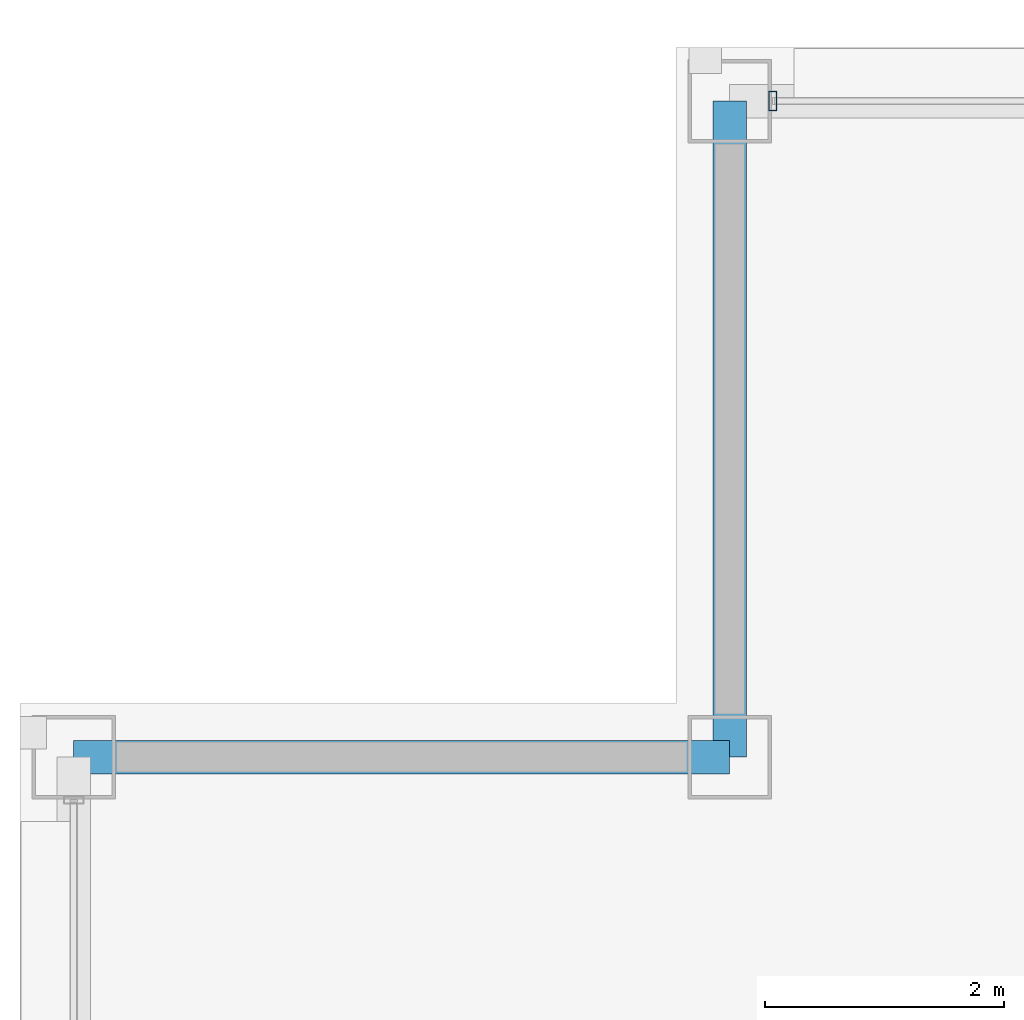
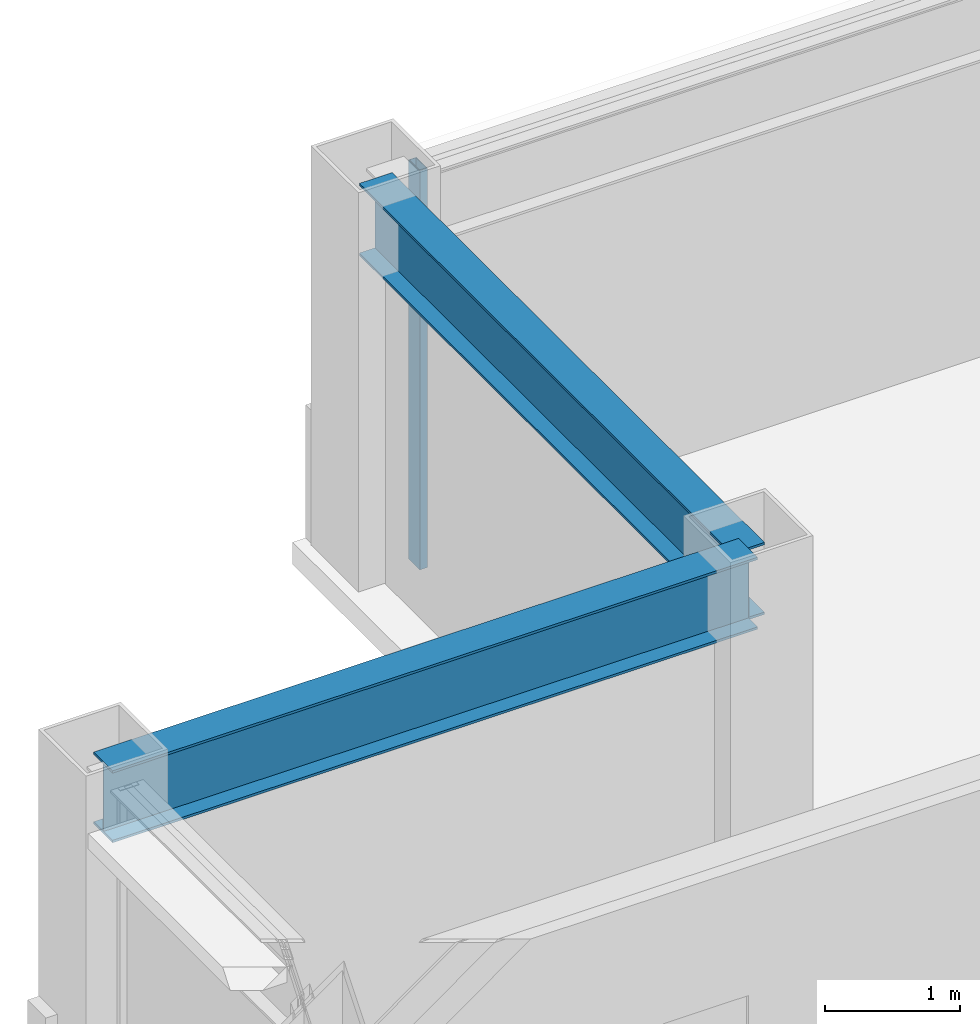
# One storey, part 19 of 30: 2 beams, 1 member, 1 element without a shape of its own.
"""IFC4 building model written with IfcOpenShell, lengths in metres."""

import ifcopenshell
import ifcopenshell.guid

model = None  # the IFC model being written
_history = None  # IfcOwnerHistory: only IFC2X3 demands one
_inside = {}  # id of a spatial element -> (the spatial element, [elements in it])
_under = {}  # id of a project, library or spatial element -> (it, [spatial elements below it])
_declared = {}  # id of a project -> (the project, [libraries it declares])
_typed = {}  # id of a type object -> (the type object, [elements of that type])
_made_of = {}  # id of a material, layer set ... -> (it, [elements and type objects made of it])


def new_model(schema):
    """Start an empty IFC model of exactly this schema.

    Asked for "IFC4X3", IfcOpenShell would pick the latest addendum, in which some entities
    have other attributes; the version numbers below select the first issue.
    IFC2X3 requires an IfcOwnerHistory on every rooted entity: one is made here for all.
    """
    global model, _history
    if schema == "IFC4X3":
        model = ifcopenshell.file(schema_version=(4, 3, 0, 0))
    else:
        model = ifcopenshell.file(schema=schema)
    _inside.clear()
    _under.clear()
    _declared.clear()
    _typed.clear()
    _made_of.clear()
    _history = None
    if model.schema == "IFC2X3":
        org = make("IfcOrganization", Name="unknown")
        user = make(
            "IfcPersonAndOrganization",
            ThePerson=make("IfcPerson", FamilyName="unknown"),
            TheOrganization=org,
        )
        app = make(
            "IfcApplication",
            ApplicationDeveloper=org,
            Version="unknown",
            ApplicationFullName="unknown",
            ApplicationIdentifier="unknown",
        )
        _history = make(
            "IfcOwnerHistory",
            OwningUser=user,
            OwningApplication=app,
            ChangeAction="ADDED",
            CreationDate=0,
        )
    return model


def make(cls, **values):
    """One entity of the class cls with the attributes given. An attribute that is None is left unset."""
    return model.create_entity(
        cls, **{name: value for name, value in values.items() if value is not None}
    )


def rooted(cls, **values):
    """An entity with a GlobalId (a new one), such as an element, a storey or a relation."""
    return make(cls, GlobalId=ifcopenshell.guid.new(), OwnerHistory=_history, **values)


def si_unit(unit_type, name, prefix=None):
    """IfcSIUnit, for example si_unit("LENGTHUNIT", "METRE", prefix="MILLI")."""
    return make("IfcSIUnit", UnitType=unit_type, Prefix=prefix, Name=name)


def assignment(units):
    """IfcUnitAssignment: the units of a project."""
    return None if units is None else make("IfcUnitAssignment", Units=units)


def point(xyz):
    """IfcCartesianPoint."""
    return None if xyz is None else make("IfcCartesianPoint", Coordinates=xyz)


def direction(xyz):
    """IfcDirection."""
    return None if xyz is None else make("IfcDirection", DirectionRatios=xyz)


def frame(location, z_axis=None, x_axis=None):
    """IfcAxis2Placement3D, a coordinate frame: its origin and axes. An axis left out is left unset."""
    return make(
        "IfcAxis2Placement3D",
        Location=point(location),
        Axis=direction(z_axis),
        RefDirection=direction(x_axis),
    )


def frame_2d(location, x_axis=None):
    """IfcAxis2Placement2D, a coordinate frame in the plane: its origin and x axis."""
    return make(
        "IfcAxis2Placement2D", Location=point(location), RefDirection=direction(x_axis)
    )


def origin():
    """The frame at (0, 0, 0) with its axes left unset."""
    return frame((0.0, 0.0, 0.0))


def origin_2d():
    """The frame at (0, 0) in the plane with its x axis left unset."""
    return frame_2d((0.0, 0.0))


def place(relative_to, where):
    """IfcLocalPlacement: puts the frame where relative to a parent placement (None: the world)."""
    return make(
        "IfcLocalPlacement", PlacementRelTo=relative_to, RelativePlacement=where
    )


def context(
    kind, dimensions, precision=None, world=None, true_north=None, identifier=None
):
    """IfcGeometricRepresentationContext, for example the 3D "Model" context."""
    return make(
        "IfcGeometricRepresentationContext",
        ContextIdentifier=identifier,
        ContextType=kind,
        CoordinateSpaceDimension=dimensions,
        Precision=precision,
        WorldCoordinateSystem=world,
        TrueNorth=true_north,
    )


def subcontext(parent, identifier, kind, view, scale=None):
    """IfcGeometricRepresentationSubContext, for example "Body" below "Model"."""
    return make(
        "IfcGeometricRepresentationSubContext",
        ContextIdentifier=identifier,
        ContextType=kind,
        ParentContext=parent,
        TargetScale=scale,
        TargetView=view,
    )


def project(units=None, contexts=None):
    """IfcProject with its units and contexts."""
    return rooted(
        "IfcProject",
        Name="project",
        RepresentationContexts=contexts,
        UnitsInContext=assignment(units),
    )


def spatial(cls, under=None, at=None, **own):
    """A site, building, storey or space (cls), placed at a placement, below another one or the project."""
    s = rooted(cls, ObjectPlacement=at, **own)
    if under is not None:
        _under.setdefault(under.id(), (under, []))[1].append(s)
    return s


def profile(cls, at=None, kind="AREA", **sizes):
    """A parametric profile (cls). Its sizes go by their IFC names, for example OverallWidth=200.0."""
    return make(cls, ProfileType=kind, Position=at, **sizes)


def hollow_rectangle(**sizes):
    """IfcRectangleHollowProfileDef."""
    return profile("IfcRectangleHollowProfileDef", **sizes)


def i_section(**sizes):
    """IfcIShapeProfileDef."""
    return profile("IfcIShapeProfileDef", **sizes)


def extrude(swept, where, along, depth):
    """IfcExtrudedAreaSolid: the profile swept, set in the frame where, extruded along a direction by depth."""
    return make(
        "IfcExtrudedAreaSolid",
        SweptArea=swept,
        Position=where,
        ExtrudedDirection=direction(along),
        Depth=depth,
    )


def shape(context_of_items, identifier, shape_type, items):
    """IfcShapeRepresentation: the items that make up one representation, for example the "Body"."""
    return make(
        "IfcShapeRepresentation",
        ContextOfItems=context_of_items,
        RepresentationIdentifier=identifier,
        RepresentationType=shape_type,
        Items=items,
    )


def material(Name=None, Category=None):
    """IfcMaterial."""
    return make("IfcMaterial", Name=Name, Category=Category)


def layer(
    of_material, thickness, ventilated=None, Name=None, Category=None, Priority=None
):
    """IfcMaterialLayer: one layer of a wall or slab, of a material (None: an air gap)."""
    return make(
        "IfcMaterialLayer",
        Material=of_material,
        LayerThickness=thickness,
        IsVentilated=ventilated,
        Name=Name,
        Category=Category,
        Priority=Priority,
    )


def layer_set(layers, Name=None):
    """IfcMaterialLayerSet."""
    return make("IfcMaterialLayerSet", MaterialLayers=layers, LayerSetName=Name)


def material_profile(
    of_material, cross_section, Name=None, Category=None, Priority=None
):
    """IfcMaterialProfile: a cross section and its material."""
    return make(
        "IfcMaterialProfile",
        Name=Name,
        Material=of_material,
        Profile=cross_section,
        Priority=Priority,
        Category=Category,
    )


def profile_set(profiles, Name=None, composite=None):
    """IfcMaterialProfileSet."""
    return make(
        "IfcMaterialProfileSet",
        Name=Name,
        MaterialProfiles=profiles,
        CompositeProfile=composite,
    )


def made_of(thing, what):
    """Note that an element or type object is made of a material, layer set ...; save() writes the relation."""
    if what is not None:
        _made_of.setdefault(what.id(), (what, []))[1].append(thing)
    return thing


def type_object(cls, material=None, **own):
    """A type object (cls), such as IfcWallType, which elements share."""
    return made_of(rooted(cls, **own), material)


def element(
    cls,
    number,
    at=None,
    inside=None,
    cuts=None,
    type_object=None,
    material=None,
    context=None,
    identifier="Body",
    shape_type=None,
    held_by="IfcProductDefinitionShape",
    body=None,
    shapes=None,
    **own,
):
    """One element of the class cls, such as IfcWall. Its Tag is "e" and its number.

    at: its placement. inside: the storey or other place that contains it. cuts: it is an
    opening in that element (IfcRelVoidsElement). A single representation is given by context,
    identifier, shape_type and body (its items); several are given by shapes. held_by: the class
    of the entity that holds the representations. save() writes the other relations.
    """
    e = rooted(cls, Tag="e%d" % number, ObjectPlacement=at, **own)
    if body is not None:
        shapes = [shape(context, identifier, shape_type, body)]
    if shapes is not None:
        e.Representation = make(held_by, Representations=shapes)
    if inside is not None:
        _inside.setdefault(inside.id(), (inside, []))[1].append(e)
    if cuts is not None:
        rooted(
            "IfcRelVoidsElement", RelatingBuildingElement=cuts, RelatedOpeningElement=e
        )
    if type_object is not None:
        _typed.setdefault(type_object.id(), (type_object, []))[1].append(e)
    return made_of(e, material)


def aggregate(whole, parts):
    """IfcRelAggregates: a whole, such as a stair, and the parts it consists of."""
    return rooted("IfcRelAggregates", RelatingObject=whole, RelatedObjects=parts)


def save(model, path):
    """Write the relations noted so far, then the file.

    IfcRelAggregates (storeys below a building ...), IfcRelContainedInSpatialStructure (elements
    in a storey), IfcRelDefinesByType, IfcRelAssociatesMaterial and IfcRelDeclares: one each for
    every whole, place, type object, material and project.
    """
    for whole, parts in _under.values():
        aggregate(whole, parts)
    for where, things in _inside.values():
        rooted(
            "IfcRelContainedInSpatialStructure",
            RelatedElements=things,
            RelatingStructure=where,
        )
    for kind, things in _typed.values():
        rooted("IfcRelDefinesByType", RelatedObjects=things, RelatingType=kind)
    for what, things in _made_of.values():
        rooted("IfcRelAssociatesMaterial", RelatedObjects=things, RelatingMaterial=what)
    for by, libraries in _declared.values():
        rooted("IfcRelDeclares", RelatingContext=by, RelatedDefinitions=libraries)
    model.write(path)


model = new_model("IFC4")

# Units and contexts
model_context = context("Model", 3, precision=1e-05, world=origin(), true_north=direction((0.0, 1.0)))
body_context = subcontext(model_context, "Body", "Model", "MODEL_VIEW")
ifc_project = project(units=[si_unit("LENGTHUNIT", "METRE"), si_unit("AREAUNIT", "SQUARE_METRE"), si_unit("VOLUMEUNIT", "CUBIC_METRE"), si_unit("PLANEANGLEUNIT", "RADIAN"), si_unit("MASSUNIT", "GRAM", prefix="KILO")], contexts=[model_context])

# Site, building, storey
site_placement = place(None, origin())
site = spatial("IfcSite", under=ifc_project, at=site_placement, CompositionType="ELEMENT")
building_placement = place(site_placement, origin())
building = spatial("IfcBuilding", under=site, at=building_placement, Name="Brelmoor Portico Tower", CompositionType="ELEMENT")
storey_placement = place(building_placement, frame((0.0, 0.0, 187.5)))
storey = spatial("IfcBuildingStorey", under=building, at=storey_placement, Name="L49", CompositionType="ELEMENT", Elevation=187.5)

# Beams
ifc_material_1 = material(Name="Steel Q355B", Category="steel")
ifc_material_profile_1 = material_profile(ifc_material_1, i_section(OverallWidth=0.280029296875, OverallDepth=0.64990234375, WebThickness=0.012939453125, FlangeThickness=0.02197265625, at=origin_2d()), Name="HN 650x280x13x22")
ifc_profile_set_1 = profile_set([ifc_material_profile_1], Name="Steel Q355B")
beam_type = type_object("IfcBeamType", Name="BM-SP-650", PredefinedType="SPANDREL", material=ifc_profile_set_1)
for number, where, z_axis, x_axis, name in (
    (1, (-20.550048828125, 13.050048828125, 3.074951171875), (1.0, 0.0, 0.0), (0.0, 1.0, 0.0), "L49 Perimeter Spandrel Beam SP-06"),
    (2, (-15.050048828125, 13.050048828125, 3.074951171875), (0.0, 1.0, 0.0), (-1.0, 0.0, 0.0), "L49 Perimeter Spandrel Beam SP-15"),
):
    element("IfcBeam", number, at=place(storey_placement, frame(where, z_axis=z_axis, x_axis=x_axis)), inside=storey, type_object=beam_type, Name=name, PredefinedType="SPANDREL", context=body_context, shape_type="SweptSolid", body=[
        extrude(i_section(OverallWidth=0.280029296875, OverallDepth=0.64990234375, WebThickness=0.012939453125, FlangeThickness=0.02197265625, at=origin_2d()), origin(), (0.0, 0.0, 1.0), 5.5),
    ])

# Curtain wall, member
ifc_material_2 = material(Name="Anodised Aluminium Alloy 6063-T6", Category="aluminium")
ifc_layer = layer(ifc_material_2, 0.179931640625)
ifc_layer_set = layer_set([ifc_layer], Name="Anodised Aluminium Alloy 6063-T6")
curtain_wall_type = type_object("IfcCurtainWallType", Name="CW-TOWER-Z3-XB", PredefinedType="NOTDEFINED", material=ifc_layer_set)
curtain_wall_placement = place(storey_placement, origin())
curtain_wall = element("IfcCurtainWall", 3, at=curtain_wall_placement, inside=storey, type_object=curtain_wall_type, Name="L49 Curtain Wall CW-L49-02-1", PredefinedType="NOTDEFINED")
ifc_material_profile_2 = material_profile(ifc_material_2, hollow_rectangle(XDim=0.06494140625, YDim=0.1650390625, WallThickness=0.00390625, at=origin_2d()), Name="ALU MULLION 65x165")
ifc_profile_set_2 = profile_set([ifc_material_profile_2], Name="Anodised Aluminium Alloy 6063-T6")
member_type = type_object("IfcMemberType", Name="MB-CW-MULL-165", PredefinedType="MULLION", material=ifc_profile_set_2)
member_placement = place(storey_placement, frame((-14.68994140625, 18.550048828125, -0.199951171875), z_axis=(0.0, 0.0, 1.0), x_axis=(1.0, 0.0, 0.0)))
member = element("IfcMember", 4, at=member_placement, type_object=member_type, Name="CW-L49-02-1 Mullion 00", PredefinedType="MULLION", context=body_context, shape_type="SweptSolid", body=[
    extrude(hollow_rectangle(XDim=0.06494140625, YDim=0.1650390625, WallThickness=0.00390625, at=origin_2d()), origin(), (0.0, 0.0, 1.0), 3.599853515625),
])
aggregate(curtain_wall, [member])

save(model, "model.ifc")
